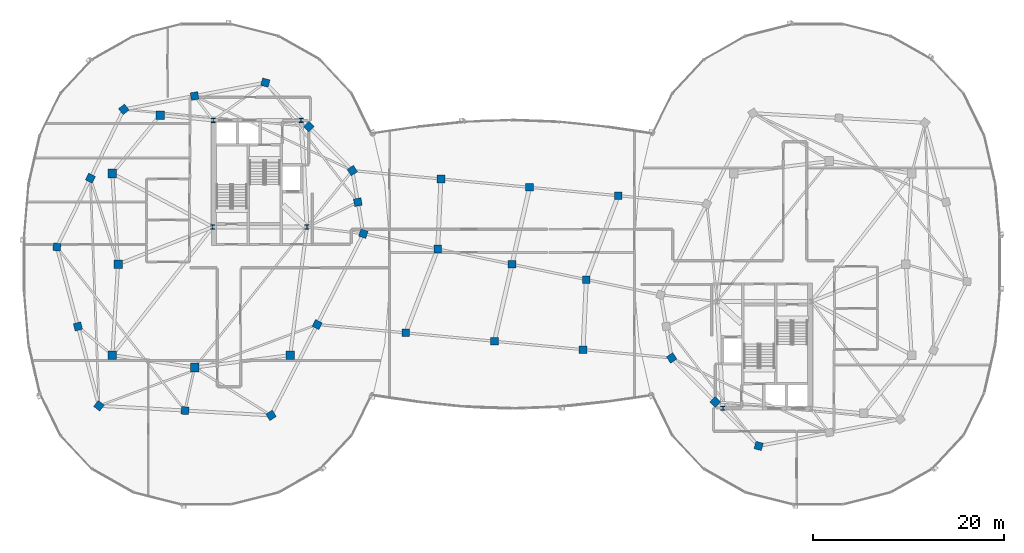
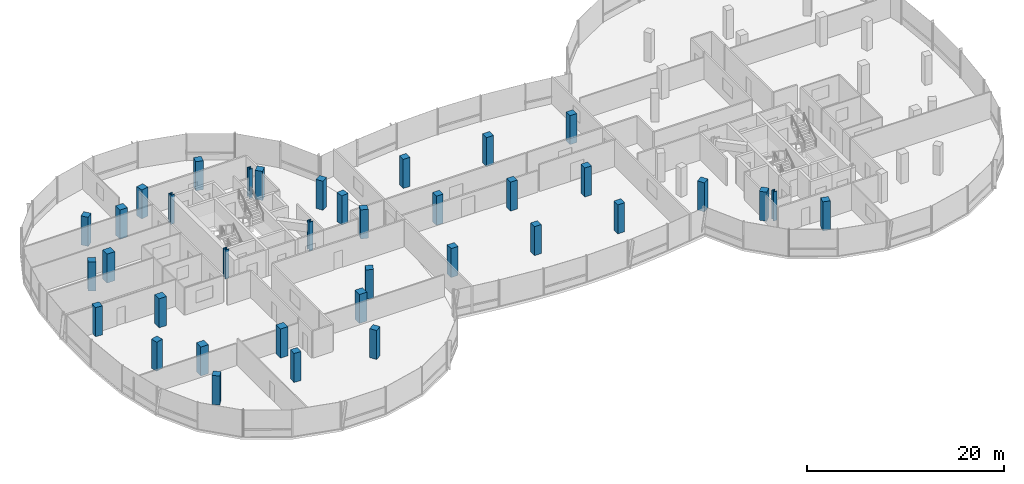
# One storey, part 1 of 25: 37 columns.
"""IFC4 building model written with IfcOpenShell, lengths in metres."""

from ifc_helpers import new_model, si_unit, direction, frame, origin, origin_2d, place, context, subcontext, project, spatial, rectangle, i_section, extrude, material, material_profile, profile_set, type_object, element, save


model = new_model("IFC4")

# Units and contexts
model_context = context("Model", 3, precision=1e-05, world=origin(), true_north=direction((0.0, 1.0)))
body_context = subcontext(model_context, "Body", "Model", "MODEL_VIEW")
ifc_project = project(units=[si_unit("LENGTHUNIT", "METRE"), si_unit("AREAUNIT", "SQUARE_METRE"), si_unit("VOLUMEUNIT", "CUBIC_METRE"), si_unit("PLANEANGLEUNIT", "RADIAN"), si_unit("MASSUNIT", "GRAM", prefix="KILO"), si_unit("THERMODYNAMICTEMPERATUREUNIT", "KELVIN"), si_unit("POWERUNIT", "WATT")], contexts=[model_context])

# Site, building, storey
site_placement = place(None, origin())
site = spatial("IfcSite", under=ifc_project, at=site_placement, CompositionType="ELEMENT")
building_placement = place(site_placement, origin())
building = spatial("IfcBuilding", under=site, at=building_placement, Name="Cundina Bronze Exchange", CompositionType="ELEMENT")
storey_placement = place(building_placement, frame((0.0, 0.0, 257.60009765625)))
storey = spatial("IfcBuildingStorey", under=building, at=storey_placement, Name="L68", CompositionType="ELEMENT", Elevation=257.60009765625)

# Columns
ifc_material_1 = material(Name="Concrete C50/60", Category="concrete")
ifc_material_profile_1 = material_profile(ifc_material_1, rectangle(XDim=0.800048828125, YDim=0.800048828125, at=origin_2d()), Name="RC800X800", Category="concrete")
ifc_profile_set_1 = profile_set([ifc_material_profile_1], Name="Concrete C50/60")
column_type_1 = type_object("IfcColumnType", Name="COL-BRG-800", PredefinedType="COLUMN", material=ifc_profile_set_1)
for number, where, z_axis, x_axis, name in (
    (1, (-15.550048828125, 3.199951171875, 0.0), (0.0, 0.0, 1.0), (0.315152163383, 0.949041155016, 0.0), "L68 W Perimeter Column 00"),
    (2, (-16.125, 6.5, 0.0), (0.0, 0.0, 1.0), (-0.171585221787, 0.985169280715, 0.0), "L68 W Perimeter Column 01"),
    (3, (-16.699951171875, 9.800048828125, 0.0), (0.0, 0.0, 1.0), (-0.544199833495, 0.838955625301, 0.0), "L68 W Perimeter Column 02"),
    (4, (-21.25, 14.39990234375, 0.0), (0.0, 0.0, 1.0), (-0.703270634186, 0.710922228581, 0.0), "L68 W Perimeter Column 03"),
    (5, (-25.800048828125, 19.0, 0.0), (0.0, 0.0, 1.0), (-0.965970984022, 0.258650455301, 0.0), "L68 W Perimeter Column 04"),
    (6, (-33.199951171875, 17.60009765625, 0.0), (0.0, 0.0, 1.0), (-0.98258037664, -0.185838110843, 0.0), "L68 W Perimeter Column 05"),
    (7, (-40.60009765625, 16.199951171875, 0.0), (0.0, 0.0, 1.0), (-0.785100778485, -0.619368038909, 0.0), "L68 W Perimeter Column 06"),
    (8, (-44.10009765625, 9.0, 0.0), (0.0, 0.0, 1.0), (-0.437115766651, -0.899405251566, 0.0), "L68 W Perimeter Column 07"),
    (9, (-47.60009765625, 1.800048828125, 0.0), (0.0, 0.0, 1.0), (-0.083503921245, -0.996507448611, 0.0), "L68 W Perimeter Column 08"),
    (10, (-45.39990234375, -6.5, 0.0), (0.0, 0.0, 1.0), (0.256289373133, -0.966600102017, 0.0), "L68 W Perimeter Column 09"),
    (11, (-43.199951171875, -14.800048828125, 0.0), (0.0, 0.0, 1.0), (0.786288432137, -0.61785961309, 0.0), "L68 W Perimeter Column 10"),
    (12, (-34.199951171875, -15.300048828125, 0.0), (0.0, 0.0, 1.0), (0.998460188734, -0.055472980025, 0.0), "L68 W Perimeter Column 11"),
    (13, (-25.199951171875, -15.800048828125, 0.0), (0.0, 0.0, 1.0), (0.838099763533, 0.545516989988, 0.0), "L68 W Perimeter Column 12"),
    (14, (-20.375, -6.300048828125, 0.0), (0.0, 0.0, 1.0), (0.452901591366, 0.891560513111, 0.0), "L68 W Perimeter Column 13"),
    (15, (16.699951171875, -9.800048828125, 0.0), (0.0, 0.0, 1.0), (0.544199833495, -0.838955625301, 0.0), "L68 E Perimeter Column 02"),
    (16, (21.25, -14.39990234375, 0.0), (0.0, 0.0, 1.0), (0.703270634186, -0.710922228581, 0.0), "L68 E Perimeter Column 03"),
    (17, (25.800048828125, -19.0, 0.0), (0.0, 0.0, 1.0), (0.965970984022, -0.258650455301, 0.0), "L68 E Perimeter Column 04"),
    (18, (-11.106201171875, -7.175048828125, 0.0), (0.0, 0.0, 1.0), (1.0, 0.0, 0.0), "L68 Sky-Gate Bridge Column Y1-X1"),
    (19, (-1.83740234375, -8.050048828125, 0.0), (0.0, 0.0, 1.0), (1.0, 0.0, 0.0), "L68 Sky-Gate Bridge Column Y1-X2"),
    (20, (7.431396484375, -8.925048828125, 0.0), (0.0, 0.0, 1.0), (1.0, 0.0, 0.0), "L68 Sky-Gate Bridge Column Y1-X3"),
    (21, (-7.77490234375, 1.60009765625, 0.0), (0.0, 0.0, 1.0), (1.0, 0.0, 0.0), "L68 Sky-Gate Bridge Column Y2-X1"),
    (22, (0.0, 0.0, 0.0), (0.0, 0.0, 1.0), (1.0, 0.0, 0.0), "L68 Sky-Gate Bridge Column Y2-X2"),
    (23, (7.77490234375, -1.60009765625, 0.0), (0.0, 0.0, 1.0), (1.0, 0.0, 0.0), "L68 Sky-Gate Bridge Column Y2-X3"),
    (24, (-7.43115234375, 8.925048828125, 0.0), (0.0, 0.0, 1.0), (1.0, 0.0, 0.0), "L68 Sky-Gate Bridge Column Y3-X1"),
    (25, (1.83740234375, 8.050048828125, 0.0), (0.0, 0.0, 1.0), (1.0, 0.0, 0.0), "L68 Sky-Gate Bridge Column Y3-X2"),
    (26, (11.106201171875, 7.175048828125, 0.0), (0.0, 0.0, 1.0), (1.0, 0.0, 0.0), "L68 Sky-Gate Bridge Column Y3-X3"),
):
    element("IfcColumn", number, at=place(storey_placement, frame(where, z_axis=z_axis, x_axis=x_axis)), inside=storey, type_object=column_type_1, Name=name, PredefinedType="COLUMN", context=body_context, shape_type="SweptSolid", body=[
        extrude(rectangle(XDim=0.800048828125, YDim=0.800048828125, at=origin_2d()), origin(), (0.0, 0.0, 1.0), 3.599853515625),
    ])
ifc_material_2 = material(Name="Steel ASTM A992 Grade 50", Category="steel")
ifc_material_profile_2 = material_profile(ifc_material_2, i_section(OverallWidth=0.416015625, OverallDepth=0.446044921875, WebThickness=0.0390625, FlangeThickness=0.062744140625, FilletRadius=0.01806640625, at=origin_2d()), Name="W14X342", Category="steel")
ifc_profile_set_2 = profile_set([ifc_material_profile_2], Name="Steel ASTM A992 Grade 50")
column_type_2 = type_object("IfcColumnType", Name="COL-STL-W14B", PredefinedType="COLUMN", material=ifc_profile_set_2)
for number, where, z_axis, x_axis, name in (
    (27, (-31.300048828125, 3.89990234375, 0.0), (0.0, 0.0, 1.0), (1.0, 0.0, 0.0), "L68 Core Anchor Column W1"),
    (28, (-21.449951171875, 3.89990234375, 0.0), (0.0, 0.0, 1.0), (1.0, 0.0, 0.0), "L68 Core Anchor Column W2"),
    (29, (-22.050048828125, 15.050048828125, 0.0), (0.0, 0.0, 1.0), (1.0, 0.0, 0.0), "L68 Core Anchor Column W3"),
    (30, (-31.25, 15.050048828125, 0.0), (0.0, 0.0, 1.0), (1.0, 0.0, 0.0), "L68 Core Anchor Column W4"),
    (31, (22.050048828125, -15.050048828125, 0.0), (0.0, 0.0, 1.0), (1.0, 0.0, 0.0), "L68 Core Anchor Column E3"),
):
    element("IfcColumn", number, at=place(storey_placement, frame(where, z_axis=z_axis, x_axis=x_axis)), inside=storey, type_object=column_type_2, Name=name, PredefinedType="COLUMN", context=body_context, shape_type="SweptSolid", body=[
        extrude(i_section(OverallWidth=0.416015625, OverallDepth=0.446044921875, WebThickness=0.0390625, FlangeThickness=0.062744140625, FilletRadius=0.01806640625, at=origin_2d()), origin(), (0.0, 0.0, 1.0), 3.599853515625),
    ])
ifc_material_profile_3 = material_profile(ifc_material_1, rectangle(XDim=0.89990234375, YDim=0.89990234375, at=origin_2d()), Name="RC900X900", Category="concrete")
ifc_profile_set_3 = profile_set([ifc_material_profile_3], Name="Concrete C50/60")
column_type_3 = type_object("IfcColumnType", Name="COL-Z4-900", PredefinedType="COLUMN", material=ifc_profile_set_3)
for number, where, z_axis, x_axis, name in (
    (32, (-41.199951171875, 0.0, 0.0), (0.0, 0.0, 1.0), (1.0, 0.0, 0.0), "L68 W Inner Ring Column 1"),
    (33, (-41.800048828125, 9.5, 0.0), (0.0, 0.0, 1.0), (1.0, 0.0, 0.0), "L68 W Inner Ring Column 2"),
    (34, (-36.800048828125, 15.60009765625, 0.0), (0.0, 0.0, 1.0), (1.0, 0.0, 0.0), "L68 W Inner Ring Column 3"),
    (35, (-41.800048828125, -9.5, 0.0), (0.0, 0.0, 1.0), (1.0, 0.0, 0.0), "L68 W Inner Ring Column 4"),
    (36, (-33.199951171875, -10.800048828125, 0.0), (0.0, 0.0, 1.0), (1.0, 0.0, 0.0), "L68 W Inner Ring Column 5"),
    (37, (-23.199951171875, -9.5, 0.0), (0.0, 0.0, 1.0), (1.0, 0.0, 0.0), "L68 W Inner Ring Column 6"),
):
    element("IfcColumn", number, at=place(storey_placement, frame(where, z_axis=z_axis, x_axis=x_axis)), inside=storey, type_object=column_type_3, Name=name, PredefinedType="COLUMN", context=body_context, shape_type="SweptSolid", body=[
        extrude(rectangle(XDim=0.89990234375, YDim=0.89990234375, at=origin_2d()), origin(), (0.0, 0.0, 1.0), 3.599853515625),
    ])

save(model, "model.ifc")
